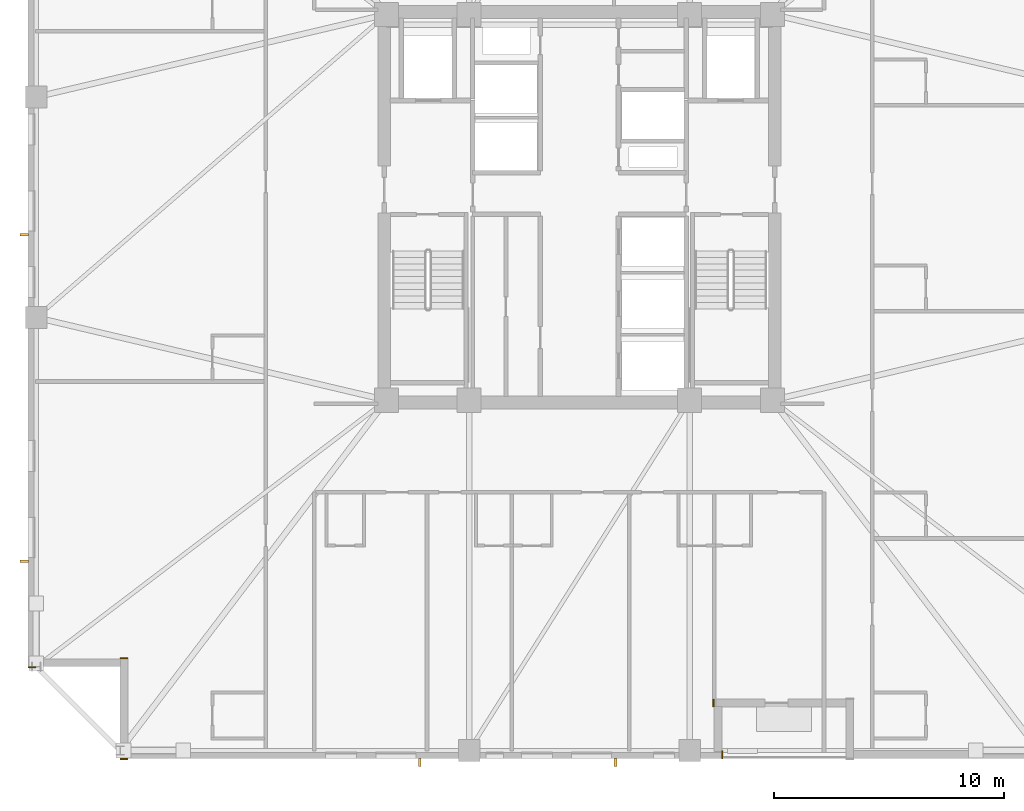
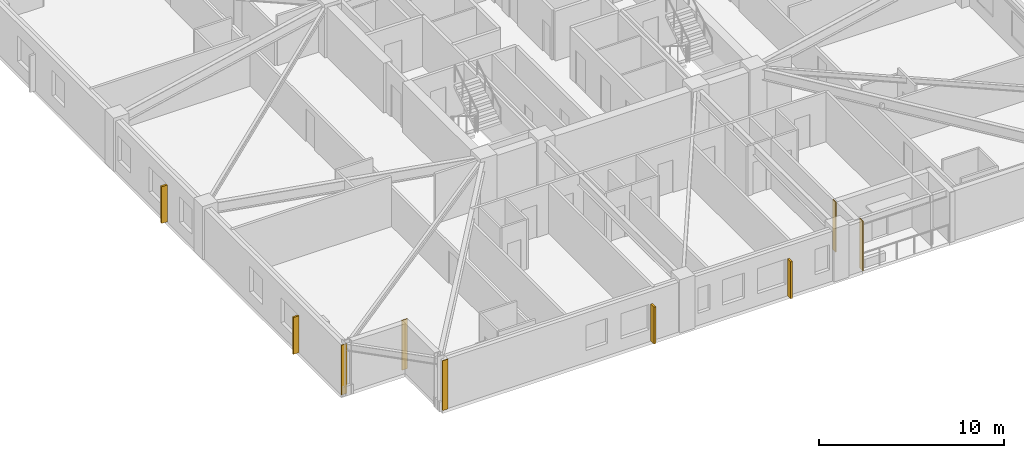
# One storey, part 7 of 11: 5 coverings, 4 shading devices.
"""IFC4 building model written with IfcOpenShell, lengths in metres."""

from ifc_helpers import new_model, si_unit, direction, frame, frame_2d, origin, origin_2d, place, context, subcontext, project, spatial, rectangle, extrude, material, layer, layer_set, type_object, element, save


model = new_model("IFC4")

# Units and contexts
model_context = context("Model", 3, precision=1e-05, world=origin(), true_north=direction((0.0, 1.0)))
body_context = subcontext(model_context, "Body", "Model", "MODEL_VIEW")
ifc_project = project(units=[si_unit("LENGTHUNIT", "METRE"), si_unit("AREAUNIT", "SQUARE_METRE"), si_unit("VOLUMEUNIT", "CUBIC_METRE"), si_unit("PLANEANGLEUNIT", "RADIAN"), si_unit("MASSUNIT", "GRAM", prefix="KILO")], contexts=[model_context])

# Site, building, storey
site_placement = place(None, origin())
site = spatial("IfcSite", under=ifc_project, at=site_placement, CompositionType="ELEMENT")
building_placement = place(site_placement, origin())
building = spatial("IfcBuilding", under=site, at=building_placement, Name="Cairnveth Concourse Tower", CompositionType="ELEMENT")
storey_placement = place(building_placement, frame((0.0, 0.0, 165.5)))
storey = spatial("IfcBuildingStorey", under=building, at=storey_placement, Name="L45", CompositionType="ELEMENT", Elevation=165.5)

# Coverings
ifc_material_1 = material(Name="Dressed Melbourne Bluestone Cladding", Category="masonry")
ifc_layer = layer(ifc_material_1, 0.050048828125)
ifc_layer_set = layer_set([ifc_layer], Name="Dressed Melbourne Bluestone Cladding")
covering_type = type_object("IfcCoveringType", Name="DRESSED BLUESTONE PLINTH CLADDING 50", PredefinedType="CLADDING", material=ifc_layer_set)
for number, where, z_axis, x_axis, name in (
    (1, (58.219970703125, 15.340087890625, 0.0), (0.0, 0.0, 1.0), (0.0, -1.0, 0.0), "Melbourne Bluestone Corner Quoin L45-659"),
    (2, (32.340087890625, 14.97998046875, 0.0), (0.0, 0.0, 1.0), (-1.0, 0.0, 0.0), "Melbourne Bluestone Corner Quoin L45-660"),
    (3, (32.340087890625, 19.360107421875, 0.0), (0.0, 0.0, 1.0), (-1.0, 0.0, 0.0), "Melbourne Bluestone Corner Quoin L45-661"),
    (4, (28.340087890625, 18.97998046875, 0.0), (0.0, 0.0, 1.0), (-1.0, 0.0, 0.0), "Melbourne Bluestone Corner Quoin L45-662"),
    (5, (57.840087890625, 17.590087890625, 0.0), (0.0, 0.0, 1.0), (0.0, -1.0, 0.0), "Melbourne Bluestone Corner Quoin L45-674"),
):
    element("IfcCovering", number, at=place(storey_placement, frame(where, z_axis=z_axis, x_axis=x_axis)), inside=storey, type_object=covering_type, Name=name, PredefinedType="CLADDING", context=body_context, shape_type="SweptSolid", body=[
        extrude(rectangle(XDim=0.340087890625, YDim=0.050048828125, at=frame_2d((0.169921875, 0.0))), origin(), (0.0, 0.0, 1.0), 3.280029296875),
    ])

# Shading devices
ifc_material_2 = material(Name="Architectural Bronze Anodised Aluminium 6063-T6", Category="aluminium")
shading_device_type = type_object("IfcShadingDeviceType", Name="GOTHIC BRONZE VERTICAL LANCET FIN", PredefinedType="USERDEFINED", material=ifc_material_2)
for number, where, z_axis, x_axis, name in (
    (6, (53.56689453125, 14.824951171875, 0.030029296875), (0.0, 0.0, 1.0), (1.0, 0.0, 0.0), "Gothic Bronze Vertical Fin L45-0-1"),
    (7, (45.0439453125, 14.824951171875, 0.030029296875), (0.0, 0.0, 1.0), (1.0, 0.0, 0.0), "Gothic Bronze Vertical Fin L45-0-3"),
    (8, (27.824951171875, 23.591796875, 0.030029296875), (0.0, 0.0, 1.0), (0.0, 1.0, 0.0), "Gothic Bronze Vertical Fin L45-3-1"),
    (9, (27.824951171875, 37.805908203125, 0.030029296875), (0.0, 0.0, 1.0), (0.0, 1.0, 0.0), "Gothic Bronze Vertical Fin L45-3-5"),
):
    element("IfcShadingDevice", number, at=place(storey_placement, frame(where, z_axis=z_axis, x_axis=x_axis)), inside=storey, type_object=shading_device_type, Name=name, ObjectType="VERTICAL FIN", PredefinedType="USERDEFINED", context=body_context, shape_type="SweptSolid", body=[
        extrude(rectangle(XDim=0.1201171875, YDim=0.360107421875, at=origin_2d()), origin(), (0.0, 0.0, 1.0), 2.419921875),
    ])

save(model, "model.ifc")
